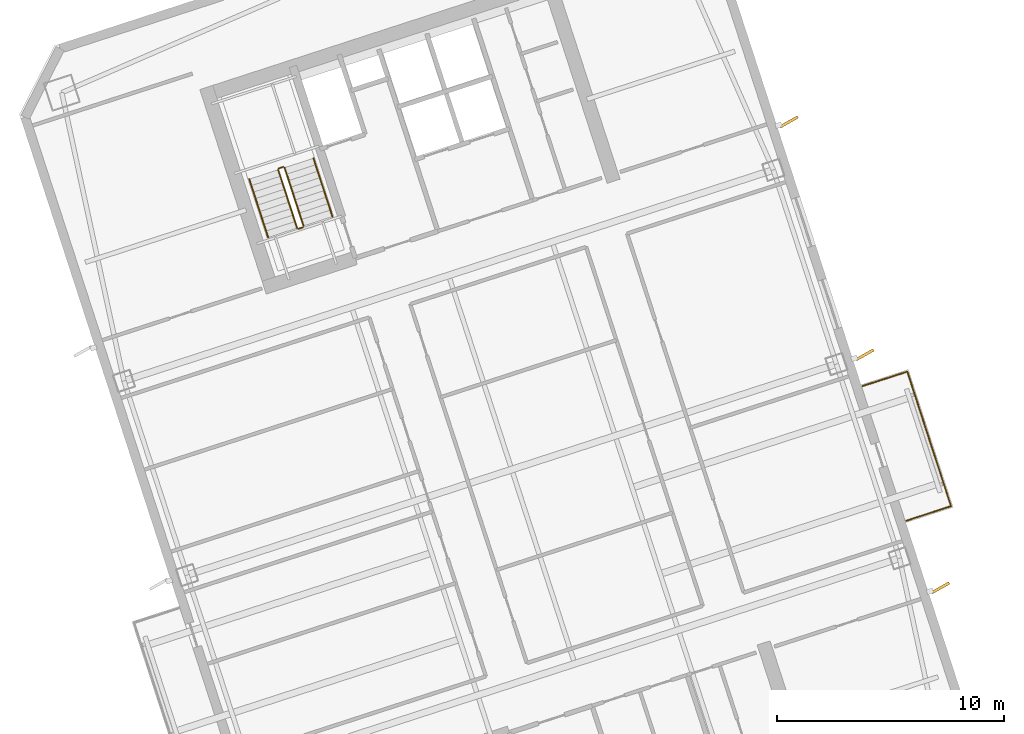
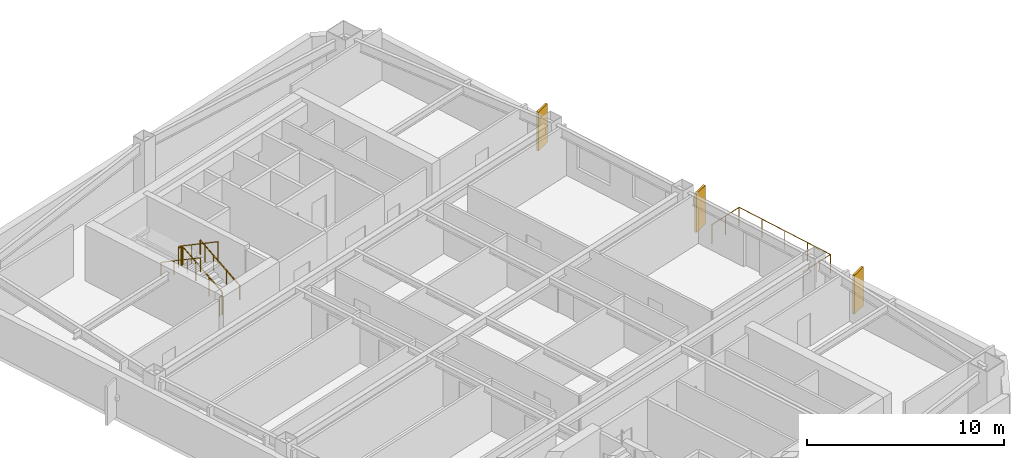
# One storey, part 18 of 18: 7 railings, 3 shading devices.
"""IFC4 building model written with IfcOpenShell, lengths in metres."""

from ifc_helpers import new_model, si_unit, direction, frame, origin, origin_2d, place, context, subcontext, project, spatial, rectangle, circle, extrude, material, layer, layer_set, type_object, element, save


model = new_model("IFC4")

# Units and contexts
model_context = context("Model", 3, precision=1e-05, world=origin(), true_north=direction((0.0, 1.0)))
body_context = subcontext(model_context, "Body", "Model", "MODEL_VIEW")
ifc_project = project(units=[si_unit("LENGTHUNIT", "METRE"), si_unit("AREAUNIT", "SQUARE_METRE"), si_unit("VOLUMEUNIT", "CUBIC_METRE"), si_unit("PLANEANGLEUNIT", "RADIAN"), si_unit("MASSUNIT", "GRAM", prefix="KILO")], contexts=[model_context])

# Site, building, storey
site_placement = place(None, origin())
site = spatial("IfcSite", under=ifc_project, at=site_placement, CompositionType="ELEMENT")
building_placement = place(site_placement, origin())
building = spatial("IfcBuilding", under=site, at=building_placement, Name="Qiaolan Cultural Towers", CompositionType="ELEMENT")
storey_placement = place(building_placement, frame((0.0, 0.0, 173.64990234375)))
storey = spatial("IfcBuildingStorey", under=building, at=storey_placement, Name="L46", CompositionType="ELEMENT", Elevation=173.64990234375)

# Railings
ifc_material_1 = material(Name="Laminated SentryGlas & Stainless Steel S31608 Balustrade", Category="steel")
railing_type_1 = type_object("IfcRailingType", Name="GRD-TERR-1200", PredefinedType="BALUSTRADE", material=ifc_material_1)
railing_1_placement = place(storey_placement, frame((107.39794921875, 31.74609375, 0.0)))
element("IfcRailing", 1, at=railing_1_placement, inside=storey, type_object=railing_type_1, Name="L46 T2 Tree Balcony Guardrail E", PredefinedType="BALUSTRADE", context=body_context, shape_type="SweptSolid", body=[
    extrude(circle(Radius=0.02392578125, at=origin_2d()), frame((0.0, 0.0, 1.17578125), z_axis=(0.951061799618, 0.309000733507, 0.0), x_axis=(-0.309000733507, 0.951061799618, 0.0)), (0.0, 0.0, 1.0), 2.070068359375),
    extrude(circle(Radius=0.02392578125, at=origin_2d()), frame((1.96875, 0.6396484375, 1.17578125), z_axis=(-0.30901175762, 0.951058217804, 0.0), x_axis=(-0.951058217804, -0.30901175762, 0.0)), (0.0, 0.0, 1.0), 6.239990234375),
    extrude(circle(Radius=0.02392578125, at=origin_2d()), frame((0.04052734375, 6.57421875, 1.17578125), z_axis=(-0.951061799618, -0.309000733507, 0.0), x_axis=(0.309000733507, -0.951061799618, 0.0)), (0.0, 0.0, 1.0), 2.070068359375),
    extrude(circle(Radius=0.02099609375, at=origin_2d()), origin(), (0.0, 0.0, 1.0), 1.15185546875),
    extrude(circle(Radius=0.02099609375, at=origin_2d()), frame((0.984375, 0.31982421875, 0.0)), (0.0, 0.0, 1.0), 1.15185546875),
    extrude(circle(Radius=0.02099609375, at=origin_2d()), frame((1.96875, 0.6396484375, 0.0)), (0.0, 0.0, 1.0), 1.15185546875),
    extrude(circle(Radius=0.02099609375, at=origin_2d()), frame((1.48681640625, 2.123291015625, 0.0)), (0.0, 0.0, 1.0), 1.15185546875),
    extrude(circle(Radius=0.02099609375, at=origin_2d()), frame((1.004638671875, 3.60693359375, 0.0)), (0.0, 0.0, 1.0), 1.15185546875),
    extrude(circle(Radius=0.02099609375, at=origin_2d()), frame((0.5224609375, 5.090576171875, 0.0)), (0.0, 0.0, 1.0), 1.15185546875),
    extrude(circle(Radius=0.02099609375, at=origin_2d()), frame((0.04052734375, 6.57421875, 0.0)), (0.0, 0.0, 1.0), 1.15185546875),
    extrude(circle(Radius=0.02099609375, at=origin_2d()), frame((-0.94384765625, 6.25439453125, 0.0)), (0.0, 0.0, 1.0), 1.15185546875),
    extrude(circle(Radius=0.02099609375, at=origin_2d()), frame((-1.92822265625, 5.9345703125, 0.0)), (0.0, 0.0, 1.0), 1.15185546875),
])
ifc_material_2 = material(Name="Galvanized Painted Steel Stair Guardrail", Category="steel")
railing_type_2 = type_object("IfcRailingType", Name="RL-STAIR-GRD", PredefinedType="GUARDRAIL", material=ifc_material_2)
railing_2_placement = place(storey_placement, frame((80.822021484375, 44.739501953125, 0.172607421875)))
element("IfcRailing", 2, at=railing_2_placement, inside=storey, type_object=railing_type_2, Name="L46 ST-E2 stair guard 1", PredefinedType="GUARDRAIL", context=body_context, shape_type="SweptSolid", body=[
    extrude(circle(Radius=0.02392578125, at=origin_2d()), frame((0.0, 0.0, 1.17578125), z_axis=(-0.26785290645, 0.824488402118, 0.498471358535), x_axis=(-0.951069945308, -0.308975661068, 0.0)), (0.0, 0.0, 1.0), 3.114501953125),
    extrude(circle(Radius=0.02099609375, at=origin_2d()), origin(), (0.0, 0.0, 1.0), 1.15185546875),
    extrude(circle(Radius=0.02099609375, at=origin_2d()), frame((-0.278076171875, 0.85595703125, 0.517578125)), (0.0, 0.0, 1.0), 1.15185546875),
    extrude(circle(Radius=0.02099609375, at=origin_2d()), frame((-0.55615234375, 1.7119140625, 1.034912109375)), (0.0, 0.0, 1.0), 1.15185546875),
    extrude(circle(Radius=0.02099609375, at=origin_2d()), frame((-0.834228515625, 2.56787109375, 1.552490234375)), (0.0, 0.0, 1.0), 1.15185546875),
])
railing_3_placement = place(storey_placement, frame((79.9248046875, 47.33935546875, 1.72509765625)))
element("IfcRailing", 3, at=railing_3_placement, inside=storey, type_object=railing_type_2, Name="L46 ST-E2 stair guard 2", PredefinedType="GUARDRAIL", context=body_context, shape_type="SweptSolid", body=[
    extrude(circle(Radius=0.02392578125, at=origin_2d()), frame((0.0, 0.0, 1.17578125), z_axis=(-0.951096855055, -0.308892816854, 0.0), x_axis=(0.308892816854, -0.951096855055, 0.0)), (0.0, 0.0, 1.0), 0.199951171875),
    extrude(circle(Radius=0.02099609375, at=origin_2d()), origin(), (0.0, 0.0, 1.0), 1.15185546875),
    extrude(circle(Radius=0.02099609375, at=origin_2d()), frame((-0.190185546875, -0.061767578125, 0.0)), (0.0, 0.0, 1.0), 1.15185546875),
])
railing_4_placement = place(storey_placement, frame((79.702392578125, 47.214599609375, 1.897705078125)))
element("IfcRailing", 4, at=railing_4_placement, inside=storey, type_object=railing_type_2, Name="L46 ST-E2 stair guard 3", PredefinedType="GUARDRAIL", context=body_context, shape_type="SweptSolid", body=[
    extrude(circle(Radius=0.02392578125, at=origin_2d()), frame((0.0, 0.0, 1.17578125), z_axis=(0.267925668498, -0.824471088726, 0.498460891159), x_axis=(0.951043371037, 0.309057448393, 0.0)), (0.0, 0.0, 1.0), 3.114501953125),
    extrude(circle(Radius=0.02099609375, at=origin_2d()), origin(), (0.0, 0.0, 1.0), 1.15185546875),
    extrude(circle(Radius=0.02099609375, at=origin_2d()), frame((0.278076171875, -0.85595703125, 0.517578125)), (0.0, 0.0, 1.0), 1.15185546875),
    extrude(circle(Radius=0.02099609375, at=origin_2d()), frame((0.556396484375, -1.7119140625, 1.034912109375)), (0.0, 0.0, 1.0), 1.15185546875),
    extrude(circle(Radius=0.02099609375, at=origin_2d()), frame((0.83447265625, -2.56787109375, 1.552490234375)), (0.0, 0.0, 1.0), 1.15185546875),
])
railing_5_placement = place(storey_placement, frame((80.7900390625, 44.676513671875, 0.0)))
element("IfcRailing", 5, at=railing_5_placement, inside=storey, type_object=railing_type_2, Name="L46 ST-E2 stair guard 4", PredefinedType="GUARDRAIL", context=body_context, shape_type="SweptSolid", body=[
    extrude(circle(Radius=0.02392578125, at=origin_2d()), frame((0.0, 0.0, 1.17578125), z_axis=(-0.951096855055, -0.308892816854, 0.0), x_axis=(0.308892816854, -0.951096855055, 0.0)), (0.0, 0.0, 1.0), 0.199951171875),
    extrude(circle(Radius=0.02099609375, at=origin_2d()), origin(), (0.0, 0.0, 1.0), 1.15185546875),
    extrude(circle(Radius=0.02099609375, at=origin_2d()), frame((-0.190185546875, -0.061767578125, 0.0)), (0.0, 0.0, 1.0), 1.15185546875),
])
ifc_material_3 = material(Name="Stainless Steel S30408 Tubular Handrail", Category="steel")
railing_type_3 = type_object("IfcRailingType", Name="RL-STAIR-HR", PredefinedType="HANDRAIL", material=ifc_material_3)
railing_6_placement = place(storey_placement, frame((82.096435546875, 45.153564453125, 0.172607421875)))
element("IfcRailing", 6, at=railing_6_placement, inside=storey, type_object=railing_type_3, Name="L46 ST-E2 stair handrail 1", PredefinedType="HANDRAIL", context=body_context, shape_type="SweptSolid", body=[
    extrude(circle(Radius=0.02392578125, at=origin_2d()), frame((0.0, 0.0, 0.8759765625), z_axis=(-0.26785290645, 0.824488402118, 0.498471358535), x_axis=(-0.951069945308, -0.308975661068, 0.0)), (0.0, 0.0, 1.0), 3.114501953125),
    extrude(circle(Radius=0.02099609375, at=origin_2d()), origin(), (0.0, 0.0, 1.0), 0.851806640625),
    extrude(circle(Radius=0.02099609375, at=origin_2d()), frame((-0.278076171875, 0.85595703125, 0.517578125)), (0.0, 0.0, 1.0), 0.851806640625),
    extrude(circle(Radius=0.02099609375, at=origin_2d()), frame((-0.55615234375, 1.7119140625, 1.034912109375)), (0.0, 0.0, 1.0), 0.851806640625),
    extrude(circle(Radius=0.02099609375, at=origin_2d()), frame((-0.834228515625, 2.56787109375, 1.552490234375)), (0.0, 0.0, 1.0), 0.851806640625),
])
railing_7_placement = place(storey_placement, frame((78.427978515625, 46.800537109375, 1.897705078125)))
element("IfcRailing", 7, at=railing_7_placement, inside=storey, type_object=railing_type_3, Name="L46 ST-E2 stair handrail 2", PredefinedType="HANDRAIL", context=body_context, shape_type="SweptSolid", body=[
    extrude(circle(Radius=0.02392578125, at=origin_2d()), frame((0.0, 0.0, 0.8759765625), z_axis=(0.267925668498, -0.824471088726, 0.498460891159), x_axis=(0.951043371037, 0.309057448393, 0.0)), (0.0, 0.0, 1.0), 3.114501953125),
    extrude(circle(Radius=0.02099609375, at=origin_2d()), origin(), (0.0, 0.0, 1.0), 0.851806640625),
    extrude(circle(Radius=0.02099609375, at=origin_2d()), frame((0.278076171875, -0.85595703125, 0.517578125)), (0.0, 0.0, 1.0), 0.851806640625),
    extrude(circle(Radius=0.02099609375, at=origin_2d()), frame((0.556396484375, -1.7119140625, 1.034912109375)), (0.0, 0.0, 1.0), 0.851806640625),
    extrude(circle(Radius=0.02099609375, at=origin_2d()), frame((0.83447265625, -2.56787109375, 1.552490234375)), (0.0, 0.0, 1.0), 0.851806640625),
])

# Shading devices
ifc_material_4 = material(Name="Pierced Warm Terracotta Acoustic Fin", Category="masonry")
ifc_layer = layer(ifc_material_4, 0.1201171875)
ifc_layer_set = layer_set([ifc_layer], Name="Pierced Warm Terracotta Acoustic Fin")
shading_device_type = type_object("IfcShadingDeviceType", Name="SHD-FIN-PIERCED", PredefinedType="USERDEFINED", material=ifc_layer_set)
for number, where, z_axis, x_axis, name in (
    (8, (108.896728515625, 28.7841796875, 0.10009765625), (0.0, 0.0, 1.0), (0.870435896044, 0.492281779958, 0.0), "L46 T2 Expressive Precast Vertical Fin E1"),
    (9, (105.559326171875, 39.055419921875, 0.10009765625), (0.0, 0.0, 1.0), (0.870435896044, 0.492281779958, 0.0), "L46 T2 Expressive Precast Vertical Fin E2"),
    (10, (102.221923828125, 49.326904296875, 0.10009765625), (0.0, 0.0, 1.0), (0.870435896044, 0.492281779958, 0.0), "L46 T2 Expressive Precast Vertical Fin E3"),
):
    element("IfcShadingDevice", number, at=place(storey_placement, frame(where, z_axis=z_axis, x_axis=x_axis)), inside=storey, type_object=shading_device_type, Name=name, ObjectType="FIN", PredefinedType="USERDEFINED", context=body_context, shape_type="SweptSolid", body=[
        extrude(rectangle(XDim=0.89990234375, YDim=0.1201171875, at=origin_2d()), origin(), (0.0, 0.0, 1.0), 2.409912109375),
    ])

save(model, "model.ifc")
